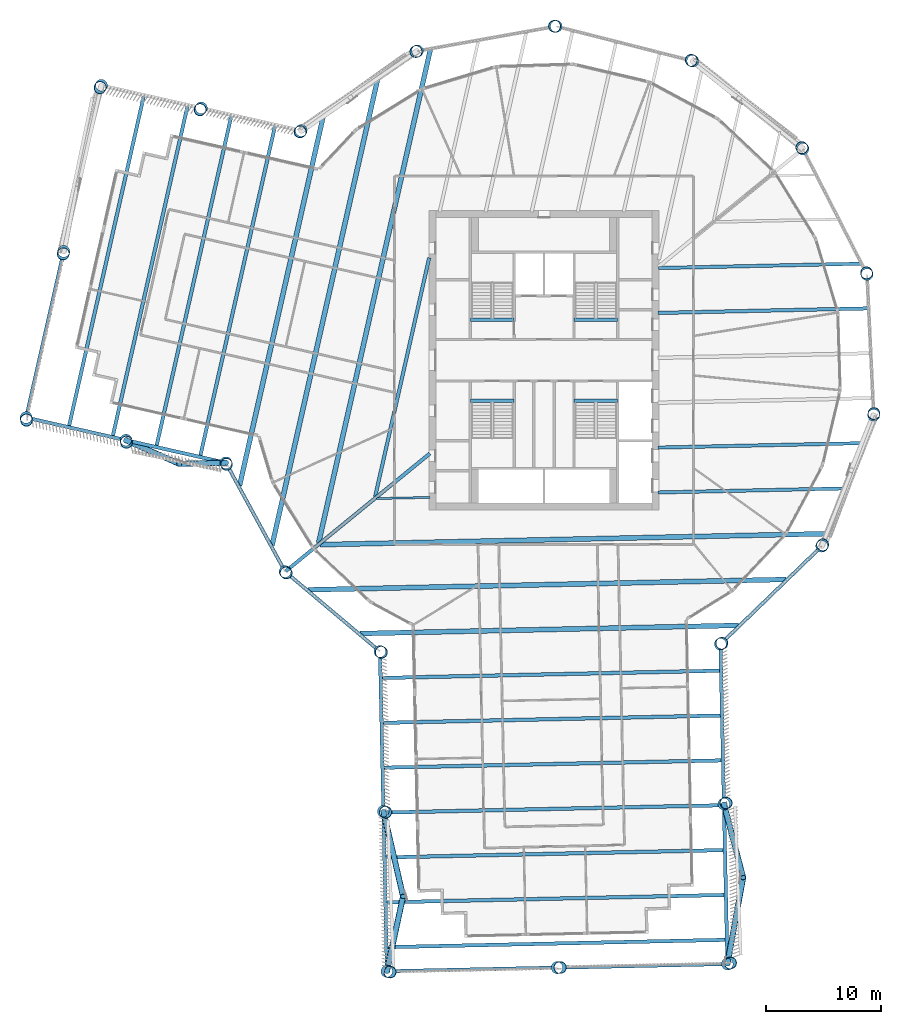
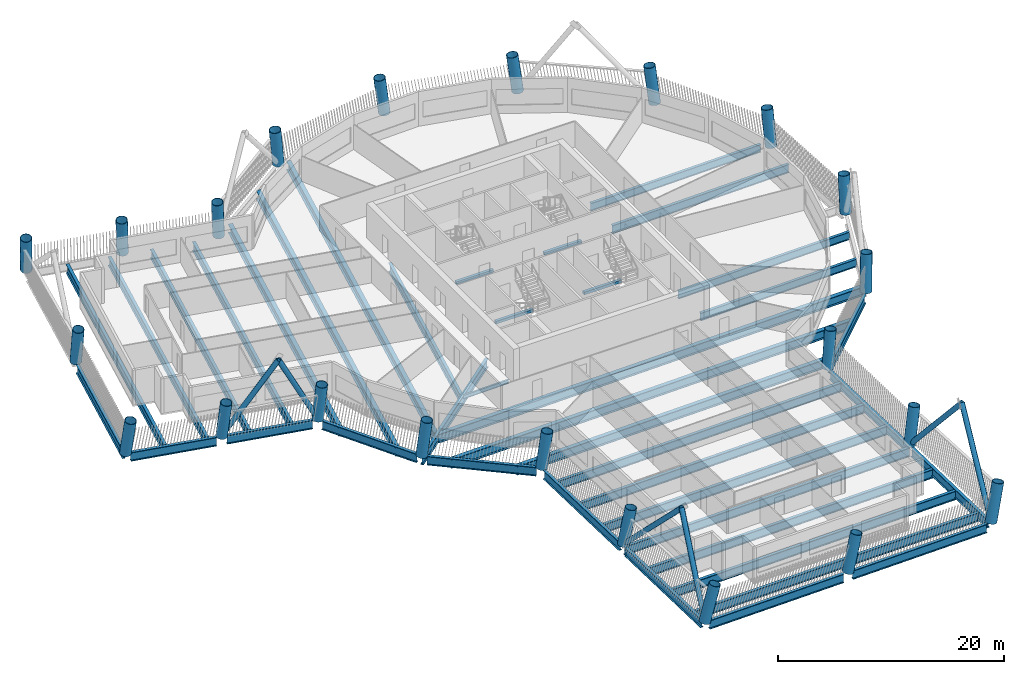
# One storey, part 1 of 23: 40 beams, 22 columns, 6 members.
"""IFC4 building model written with IfcOpenShell, lengths in metres."""

import ifcopenshell
import ifcopenshell.guid

model = None  # the IFC model being written
_history = None  # IfcOwnerHistory: only IFC2X3 demands one
_inside = {}  # id of a spatial element -> (the spatial element, [elements in it])
_under = {}  # id of a project, library or spatial element -> (it, [spatial elements below it])
_declared = {}  # id of a project -> (the project, [libraries it declares])
_typed = {}  # id of a type object -> (the type object, [elements of that type])
_made_of = {}  # id of a material, layer set ... -> (it, [elements and type objects made of it])


def new_model(schema):
    """Start an empty IFC model of exactly this schema.

    Asked for "IFC4X3", IfcOpenShell would pick the latest addendum, in which some entities
    have other attributes; the version numbers below select the first issue.
    IFC2X3 requires an IfcOwnerHistory on every rooted entity: one is made here for all.
    """
    global model, _history
    if schema == "IFC4X3":
        model = ifcopenshell.file(schema_version=(4, 3, 0, 0))
    else:
        model = ifcopenshell.file(schema=schema)
    _inside.clear()
    _under.clear()
    _declared.clear()
    _typed.clear()
    _made_of.clear()
    _history = None
    if model.schema == "IFC2X3":
        org = make("IfcOrganization", Name="unknown")
        user = make(
            "IfcPersonAndOrganization",
            ThePerson=make("IfcPerson", FamilyName="unknown"),
            TheOrganization=org,
        )
        app = make(
            "IfcApplication",
            ApplicationDeveloper=org,
            Version="unknown",
            ApplicationFullName="unknown",
            ApplicationIdentifier="unknown",
        )
        _history = make(
            "IfcOwnerHistory",
            OwningUser=user,
            OwningApplication=app,
            ChangeAction="ADDED",
            CreationDate=0,
        )
    return model


def make(cls, **values):
    """One entity of the class cls with the attributes given. An attribute that is None is left unset."""
    return model.create_entity(
        cls, **{name: value for name, value in values.items() if value is not None}
    )


def rooted(cls, **values):
    """An entity with a GlobalId (a new one), such as an element, a storey or a relation."""
    return make(cls, GlobalId=ifcopenshell.guid.new(), OwnerHistory=_history, **values)


def si_unit(unit_type, name, prefix=None):
    """IfcSIUnit, for example si_unit("LENGTHUNIT", "METRE", prefix="MILLI")."""
    return make("IfcSIUnit", UnitType=unit_type, Prefix=prefix, Name=name)


def assignment(units):
    """IfcUnitAssignment: the units of a project."""
    return None if units is None else make("IfcUnitAssignment", Units=units)


def point(xyz):
    """IfcCartesianPoint."""
    return None if xyz is None else make("IfcCartesianPoint", Coordinates=xyz)


def direction(xyz):
    """IfcDirection."""
    return None if xyz is None else make("IfcDirection", DirectionRatios=xyz)


def frame(location, z_axis=None, x_axis=None):
    """IfcAxis2Placement3D, a coordinate frame: its origin and axes. An axis left out is left unset."""
    return make(
        "IfcAxis2Placement3D",
        Location=point(location),
        Axis=direction(z_axis),
        RefDirection=direction(x_axis),
    )


def frame_2d(location, x_axis=None):
    """IfcAxis2Placement2D, a coordinate frame in the plane: its origin and x axis."""
    return make(
        "IfcAxis2Placement2D", Location=point(location), RefDirection=direction(x_axis)
    )


def origin():
    """The frame at (0, 0, 0) with its axes left unset."""
    return frame((0.0, 0.0, 0.0))


def origin_2d():
    """The frame at (0, 0) in the plane with its x axis left unset."""
    return frame_2d((0.0, 0.0))


def place(relative_to, where):
    """IfcLocalPlacement: puts the frame where relative to a parent placement (None: the world)."""
    return make(
        "IfcLocalPlacement", PlacementRelTo=relative_to, RelativePlacement=where
    )


def context(
    kind, dimensions, precision=None, world=None, true_north=None, identifier=None
):
    """IfcGeometricRepresentationContext, for example the 3D "Model" context."""
    return make(
        "IfcGeometricRepresentationContext",
        ContextIdentifier=identifier,
        ContextType=kind,
        CoordinateSpaceDimension=dimensions,
        Precision=precision,
        WorldCoordinateSystem=world,
        TrueNorth=true_north,
    )


def subcontext(parent, identifier, kind, view, scale=None):
    """IfcGeometricRepresentationSubContext, for example "Body" below "Model"."""
    return make(
        "IfcGeometricRepresentationSubContext",
        ContextIdentifier=identifier,
        ContextType=kind,
        ParentContext=parent,
        TargetScale=scale,
        TargetView=view,
    )


def project(units=None, contexts=None):
    """IfcProject with its units and contexts."""
    return rooted(
        "IfcProject",
        Name="project",
        RepresentationContexts=contexts,
        UnitsInContext=assignment(units),
    )


def spatial(cls, under=None, at=None, **own):
    """A site, building, storey or space (cls), placed at a placement, below another one or the project."""
    s = rooted(cls, ObjectPlacement=at, **own)
    if under is not None:
        _under.setdefault(under.id(), (under, []))[1].append(s)
    return s


def profile(cls, at=None, kind="AREA", **sizes):
    """A parametric profile (cls). Its sizes go by their IFC names, for example OverallWidth=200.0."""
    return make(cls, ProfileType=kind, Position=at, **sizes)


def rectangle(**sizes):
    """IfcRectangleProfileDef."""
    return profile("IfcRectangleProfileDef", **sizes)


def hollow_circle(**sizes):
    """IfcCircleHollowProfileDef."""
    return profile("IfcCircleHollowProfileDef", **sizes)


def i_section(**sizes):
    """IfcIShapeProfileDef."""
    return profile("IfcIShapeProfileDef", **sizes)


def extrude(swept, where, along, depth):
    """IfcExtrudedAreaSolid: the profile swept, set in the frame where, extruded along a direction by depth."""
    return make(
        "IfcExtrudedAreaSolid",
        SweptArea=swept,
        Position=where,
        ExtrudedDirection=direction(along),
        Depth=depth,
    )


def shape(context_of_items, identifier, shape_type, items):
    """IfcShapeRepresentation: the items that make up one representation, for example the "Body"."""
    return make(
        "IfcShapeRepresentation",
        ContextOfItems=context_of_items,
        RepresentationIdentifier=identifier,
        RepresentationType=shape_type,
        Items=items,
    )


def material(Name=None, Category=None):
    """IfcMaterial."""
    return make("IfcMaterial", Name=Name, Category=Category)


def material_profile(
    of_material, cross_section, Name=None, Category=None, Priority=None
):
    """IfcMaterialProfile: a cross section and its material."""
    return make(
        "IfcMaterialProfile",
        Name=Name,
        Material=of_material,
        Profile=cross_section,
        Priority=Priority,
        Category=Category,
    )


def profile_set(profiles, Name=None, composite=None):
    """IfcMaterialProfileSet."""
    return make(
        "IfcMaterialProfileSet",
        Name=Name,
        MaterialProfiles=profiles,
        CompositeProfile=composite,
    )


def made_of(thing, what):
    """Note that an element or type object is made of a material, layer set ...; save() writes the relation."""
    if what is not None:
        _made_of.setdefault(what.id(), (what, []))[1].append(thing)
    return thing


def type_object(cls, material=None, **own):
    """A type object (cls), such as IfcWallType, which elements share."""
    return made_of(rooted(cls, **own), material)


def element(
    cls,
    number,
    at=None,
    inside=None,
    cuts=None,
    type_object=None,
    material=None,
    context=None,
    identifier="Body",
    shape_type=None,
    held_by="IfcProductDefinitionShape",
    body=None,
    shapes=None,
    **own,
):
    """One element of the class cls, such as IfcWall. Its Tag is "e" and its number.

    at: its placement. inside: the storey or other place that contains it. cuts: it is an
    opening in that element (IfcRelVoidsElement). A single representation is given by context,
    identifier, shape_type and body (its items); several are given by shapes. held_by: the class
    of the entity that holds the representations. save() writes the other relations.
    """
    e = rooted(cls, Tag="e%d" % number, ObjectPlacement=at, **own)
    if body is not None:
        shapes = [shape(context, identifier, shape_type, body)]
    if shapes is not None:
        e.Representation = make(held_by, Representations=shapes)
    if inside is not None:
        _inside.setdefault(inside.id(), (inside, []))[1].append(e)
    if cuts is not None:
        rooted(
            "IfcRelVoidsElement", RelatingBuildingElement=cuts, RelatedOpeningElement=e
        )
    if type_object is not None:
        _typed.setdefault(type_object.id(), (type_object, []))[1].append(e)
    return made_of(e, material)


def aggregate(whole, parts):
    """IfcRelAggregates: a whole, such as a stair, and the parts it consists of."""
    return rooted("IfcRelAggregates", RelatingObject=whole, RelatedObjects=parts)


def save(model, path):
    """Write the relations noted so far, then the file.

    IfcRelAggregates (storeys below a building ...), IfcRelContainedInSpatialStructure (elements
    in a storey), IfcRelDefinesByType, IfcRelAssociatesMaterial and IfcRelDeclares: one each for
    every whole, place, type object, material and project.
    """
    for whole, parts in _under.values():
        aggregate(whole, parts)
    for where, things in _inside.values():
        rooted(
            "IfcRelContainedInSpatialStructure",
            RelatedElements=things,
            RelatingStructure=where,
        )
    for kind, things in _typed.values():
        rooted("IfcRelDefinesByType", RelatedObjects=things, RelatingType=kind)
    for what, things in _made_of.values():
        rooted("IfcRelAssociatesMaterial", RelatedObjects=things, RelatingMaterial=what)
    for by, libraries in _declared.values():
        rooted("IfcRelDeclares", RelatingContext=by, RelatedDefinitions=libraries)
    model.write(path)


model = new_model("IFC4")

# Units and contexts
model_context = context("Model", 3, precision=1e-05, world=origin(), true_north=direction((0.0, 1.0)))
body_context = subcontext(model_context, "Body", "Model", "MODEL_VIEW")
ifc_project = project(units=[si_unit("LENGTHUNIT", "METRE"), si_unit("AREAUNIT", "SQUARE_METRE"), si_unit("VOLUMEUNIT", "CUBIC_METRE"), si_unit("PLANEANGLEUNIT", "RADIAN"), si_unit("MASSUNIT", "GRAM", prefix="KILO")], contexts=[model_context])

# Site, building, storey
site_placement = place(None, origin())
site = spatial("IfcSite", under=ifc_project, at=site_placement, CompositionType="ELEMENT")
building_placement = place(site_placement, origin())
building = spatial("IfcBuilding", under=site, at=building_placement, Name="Tarsis Ring Headquarters", CompositionType="ELEMENT")
storey_placement = place(building_placement, frame((0.0, 0.0, 231.60009765625)))
storey = spatial("IfcBuildingStorey", under=building, at=storey_placement, Name="L54", CompositionType="ELEMENT", Elevation=231.60009765625)

# Columns
ifc_material_1 = material(Name="Structural steel S355", Category="steel")
ifc_material_profile_1 = material_profile(ifc_material_1, hollow_circle(Radius=0.533447265625, WallThickness=0.044921875, at=origin_2d()), Name="CHS 1067x45")
ifc_profile_set_1 = profile_set([ifc_material_profile_1], Name="Structural steel S355")
column_type = type_object("IfcColumnType", Name="XC Exo column CHS 1067x45", PredefinedType="COLUMN", material=ifc_profile_set_1)
for number, where, z_axis, x_axis, name in (
    (1, (-22.498046875, -18.375244140625, 0.0009765625), (0.079118125295, -0.09527736534, 0.992301640583), (0.769330767508, 0.63885066343, 0.0), "Exo column XC5 F1"),
    (2, (-14.255615234375, -25.31005859375, 0.0009765625), (0.108452989063, -0.059851133792, 0.992298236896), (0.483170186207, 0.875526453718, 0.0), "Exo column XC5 AK"),
):
    element("IfcColumn", number, at=place(storey_placement, frame(where, z_axis=z_axis, x_axis=x_axis)), inside=storey, type_object=column_type, Name=name, PredefinedType="COLUMN", context=body_context, shape_type="SweptSolid", body=[
        extrude(hollow_circle(Radius=0.533447265625, WallThickness=0.044921875, at=origin_2d()), origin(), (0.0, 0.0, 1.0), 3.92822265625),
    ])
column_1_placement = place(storey_placement, frame((-13.95458984375, -39.208984375, 0.001220703125), z_axis=(0.166315083918, -0.057658362426, 0.984385496695), x_axis=(0.327555725143, 0.944831861723, 0.0)))
element("IfcColumn", 3, at=column_1_placement, inside=storey, type_object=column_type, Name="Exo column XC5 AI1", PredefinedType="COLUMN", context=body_context, shape_type="SweptSolid", body=[
    extrude(hollow_circle(Radius=0.533447265625, WallThickness=0.044921875, at=origin_2d()), origin(), (0.0, 0.0, 1.0), 3.958984375),
])
column_2_placement = place(storey_placement, frame((-13.653564453125, -53.10791015625, 0.001708984375), z_axis=(0.222542352526, -0.055254418029, 0.973355973229), x_axis=(0.240970767589, 0.970532374096, 0.0)))
element("IfcColumn", 4, at=column_2_placement, inside=storey, type_object=column_type, Name="Exo column XC5 AT1", PredefinedType="COLUMN", context=body_context, shape_type="SweptSolid", body=[
    extrude(hollow_circle(Radius=0.533447265625, WallThickness=0.044921875, at=origin_2d()), origin(), (0.0, 0.0, 1.0), 4.003173828125),
])
column_3_placement = place(storey_placement, frame((1.14306640625, -52.78759765625, 0.00146484375), z_axis=(0.221122315318, 0.006659942628, 0.975223342026), x_axis=(-0.030105165601, 0.999546736778, 0.0)))
element("IfcColumn", 5, at=column_3_placement, inside=storey, type_object=column_type, Name="Exo column XC5 AT2", PredefinedType="COLUMN", context=body_context, shape_type="SweptSolid", body=[
    extrude(hollow_circle(Radius=0.533447265625, WallThickness=0.044921875, at=origin_2d()), origin(), (0.0, 0.0, 1.0), 3.995849609375),
])
column_4_placement = place(storey_placement, frame((15.939453125, -52.46728515625, 0.001708984375), z_axis=(0.218880671925, 0.06848787812, 0.97334508886), x_axis=(-0.298623218624, 0.954371087837, 0.0)))
element("IfcColumn", 6, at=column_4_placement, inside=storey, type_object=column_type, Name="Exo column XC5 AT3", PredefinedType="COLUMN", context=body_context, shape_type="SweptSolid", body=[
    extrude(hollow_circle(Radius=0.533447265625, WallThickness=0.044921875, at=origin_2d()), origin(), (0.0, 0.0, 1.0), 4.003173828125),
])
column_5_placement = place(storey_placement, frame((15.638427734375, -38.568359375, 0.001220703125), z_axis=(0.162553573911, 0.067525099936, 0.984386456879), x_axis=(-0.383620118291, 0.923490987959, 0.0)))
element("IfcColumn", 7, at=column_5_placement, inside=storey, type_object=column_type, Name="Exo column XC5 AO1", PredefinedType="COLUMN", context=body_context, shape_type="SweptSolid", body=[
    extrude(hollow_circle(Radius=0.533447265625, WallThickness=0.044921875, at=origin_2d()), origin(), (0.0, 0.0, 1.0), 3.958984375),
])
for number, where, z_axis, x_axis, name in (
    (8, (15.337646484375, -24.66943359375, 0.0009765625), (0.104599931099, 0.066314988998, 0.992300950644), (-0.535446000456, 0.844569464636, 0.0), "Exo column XC5 AJ"),
    (9, (24.142578125, -16.154052734375, 0.0009765625), (0.067993314499, 0.103481598393, 0.992304624587), (-0.835738387934, 0.549127805646, 0.0), "Exo column XC5 R1"),
    (10, (28.65478515625, -4.766845703125, 0.0009765625), (0.019266695301, 0.122374590473, 0.992296958606), (-0.987832020408, 0.155524594376, 0.0), "Exo column XC5 R2"),
    (11, (28.072021484375, 7.46826171875, 0.0009765625), (-0.032815788439, 0.119392290891, 0.992304693582), (-0.964240675151, -0.265028150172, 0.0), "Exo column XC5 R3"),
    (12, (22.498046875, 18.375244140625, 0.0009765625), (-0.079118125295, 0.09527736534, 0.992301640583), (-0.769330767508, -0.63885066343, 0.0), "Exo column XC5 R4"),
    (13, (12.923828125, 26.01513671875, 0.0009765625), (-0.111374232903, 0.054195497261, 0.992299666594), (-0.43755344702, -0.899192404884, 0.0), "Exo column XC5 R5"),
    (14, (1.0517578125, 29.029541015625, 0.0009765625), (-0.123804526489, 0.003418297669, 0.992300737913), (-0.027599923557, -0.999619049548, 0.0), "Exo column XC5 R6"),
    (15, (-11.007568359375, 26.882080078125, 0.0009765625), (-0.114171940389, -0.04785650196, 0.992307675697), (0.386575168753, -0.922257902597, 0.0), "Exo column XC5 R7"),
    (16, (-21.109375, 19.955078125, 0.0009765625), (-0.084338882338, -0.090678282484, 0.992302575836), (0.732239120997, -0.681047626589, 0.0), "Exo column XC5 BJ"),
):
    element("IfcColumn", number, at=place(storey_placement, frame(where, z_axis=z_axis, x_axis=x_axis)), inside=storey, type_object=column_type, Name=name, PredefinedType="COLUMN", context=body_context, shape_type="SweptSolid", body=[
        extrude(hollow_circle(Radius=0.533447265625, WallThickness=0.044921875, at=origin_2d()), origin(), (0.0, 0.0, 1.0), 3.92822265625),
    ])
column_6_placement = place(storey_placement, frame((-29.7919921875, 21.921142578125, 0.001220703125), z_axis=(-0.091931701036, -0.127133005134, 0.987616201442), x_axis=(0.810335955255, -0.585965561805, 0.0)))
element("IfcColumn", 17, at=column_6_placement, inside=storey, type_object=column_type, Name="Exo column XC5 BO1", PredefinedType="COLUMN", context=body_context, shape_type="SweptSolid", body=[
    extrude(hollow_circle(Radius=0.533447265625, WallThickness=0.044921875, at=origin_2d()), origin(), (0.0, 0.0, 1.0), 3.9462890625),
])
column_7_placement = place(storey_placement, frame((-38.474365234375, 23.887451171875, 0.00146484375), z_axis=(-0.099377024841, -0.163086553142, 0.981594103038), x_axis=(0.853949738971, -0.52035549705, 0.0)))
element("IfcColumn", 18, at=column_7_placement, inside=storey, type_object=column_type, Name="Exo column XC5 BT3", PredefinedType="COLUMN", context=body_context, shape_type="SweptSolid", body=[
    extrude(hollow_circle(Radius=0.533447265625, WallThickness=0.044921875, at=origin_2d()), origin(), (0.0, 0.0, 1.0), 3.969970703125),
])
column_8_placement = place(storey_placement, frame((-41.7431640625, 9.452880859375, 0.001220703125), z_axis=(-0.038445913619, -0.17670333375, 0.983513011387), x_axis=(0.977139449817, -0.212599378203, 0.0)))
element("IfcColumn", 19, at=column_8_placement, inside=storey, type_object=column_type, Name="Exo column XC5 BT2", PredefinedType="COLUMN", context=body_context, shape_type="SweptSolid", body=[
    extrude(hollow_circle(Radius=0.533447265625, WallThickness=0.044921875, at=origin_2d()), origin(), (0.0, 0.0, 1.0), 3.962646484375),
])
column_9_placement = place(storey_placement, frame((-45.01171875, -4.981689453125, 0.00146484375), z_axis=(0.022568865344, -0.189652263548, 0.981591903618), x_axis=(0.992993672528, 0.11816753496, 0.0)))
element("IfcColumn", 20, at=column_9_placement, inside=storey, type_object=column_type, Name="Exo column XC5 BT1", PredefinedType="COLUMN", context=body_context, shape_type="SweptSolid", body=[
    extrude(hollow_circle(Radius=0.533447265625, WallThickness=0.044921875, at=origin_2d()), origin(), (0.0, 0.0, 1.0), 3.969970703125),
])
column_10_placement = place(storey_placement, frame((-36.329345703125, -6.94775390625, 0.001220703125), z_axis=(0.03074666, -0.153918893522, 0.987604990427), x_axis=(0.980626127287, 0.195888740057, 0.0)))
element("IfcColumn", 21, at=column_10_placement, inside=storey, type_object=column_type, Name="Exo column XC5 BI1", PredefinedType="COLUMN", context=body_context, shape_type="SweptSolid", body=[
    extrude(hollow_circle(Radius=0.533447265625, WallThickness=0.044921875, at=origin_2d()), origin(), (0.0, 0.0, 1.0), 3.9462890625),
])
column_11_placement = place(storey_placement, frame((-27.64697265625, -8.913818359375, 0.0009765625), z_axis=(0.038968465181, -0.117589052827, 0.992297472221), x_axis=(0.949233733417, 0.314571644214, 0.0)))
element("IfcColumn", 22, at=column_11_placement, inside=storey, type_object=column_type, Name="Exo column XC5 BK", PredefinedType="COLUMN", context=body_context, shape_type="SweptSolid", body=[
    extrude(hollow_circle(Radius=0.533447265625, WallThickness=0.044921875, at=origin_2d()), origin(), (0.0, 0.0, 1.0), 3.92822265625),
])

# Beams
ifc_material_profile_2 = material_profile(ifc_material_1, i_section(OverallWidth=0.177734375, OverallDepth=0.406494140625, WebThickness=0.0078125, FlangeThickness=0.0126953125, at=origin_2d()), Name="W16x40")
ifc_profile_set_2 = profile_set([ifc_material_profile_2], Name="Structural steel S355")
beam_type_1 = type_object("IfcBeamType", Name="FB Floor beam W16x40", PredefinedType="JOIST", material=ifc_profile_set_2)
beam_1_placement = place(storey_placement, frame((-14.56689453125, -12.01806640625, -0.36328125), z_axis=(0.999765564217, 0.021652173236, 0.0), x_axis=(-0.021652173236, 0.999765564217, 0.0)))
element("IfcBeam", 23, at=beam_1_placement, inside=storey, type_object=beam_type_1, Name="Floor beam FB1", PredefinedType="JOIST", context=body_context, shape_type="SweptSolid", body=[
    extrude(i_section(OverallWidth=0.177734375, OverallDepth=0.406494140625, WebThickness=0.0078125, FlangeThickness=0.0126953125, at=origin_2d()), origin(), (0.0, 0.0, 1.0), 4.66796875),
])
ifc_material_profile_3 = material_profile(ifc_material_1, i_section(OverallWidth=0.2919921875, OverallDepth=0.835693359375, WebThickness=0.013916015625, FlangeThickness=0.018798828125, at=origin_2d()), Name="W33x118")
ifc_profile_set_3 = profile_set([ifc_material_profile_3], Name="Structural steel S355")
beam_type_2 = type_object("IfcBeamType", Name="FB Floor beam W33x118", PredefinedType="JOIST", material=ifc_profile_set_3)
beam_2_placement = place(storey_placement, frame((9.964111328125, 8.017578125, -0.577880859375), z_axis=(0.999765780629, 0.021642178356, 0.0), x_axis=(-0.021642178356, 0.999765780629, 0.0)))
element("IfcBeam", 24, at=beam_2_placement, inside=storey, type_object=beam_type_2, Name="Floor beam FB7", PredefinedType="JOIST", context=body_context, shape_type="SweptSolid", body=[
    extrude(i_section(OverallWidth=0.2919921875, OverallDepth=0.835693359375, WebThickness=0.013916015625, FlangeThickness=0.018798828125, at=origin_2d()), origin(), (0.0, 0.0, 1.0), 17.564208984375),
])
beam_3_placement = place(storey_placement, frame((9.89990234375, -7.587646484375, -0.577880859375), z_axis=(0.999765581061, 0.021651395457, 0.0), x_axis=(-0.021651395457, 0.999765581061, 0.0)))
element("IfcBeam", 25, at=beam_3_placement, inside=storey, type_object=beam_type_2, Name="Floor beam FB7", PredefinedType="JOIST", context=body_context, shape_type="SweptSolid", body=[
    extrude(i_section(OverallWidth=0.2919921875, OverallDepth=0.835693359375, WebThickness=0.013916015625, FlangeThickness=0.018798828125, at=origin_2d()), origin(), (0.0, 0.0, 1.0), 17.725830078125),
])
beam_4_placement = place(storey_placement, frame((9.89990234375, -11.488525390625, -0.577880859375), z_axis=(0.999765803339, 0.02164112923, 0.0), x_axis=(-0.02164112923, 0.999765803339, 0.0)))
element("IfcBeam", 26, at=beam_4_placement, inside=storey, type_object=beam_type_2, Name="Floor beam FB7", PredefinedType="JOIST", context=body_context, shape_type="SweptSolid", body=[
    extrude(i_section(OverallWidth=0.2919921875, OverallDepth=0.835693359375, WebThickness=0.013916015625, FlangeThickness=0.018798828125, at=origin_2d()), origin(), (0.0, 0.0, 1.0), 16.166259765625),
])
ifc_material_profile_4 = material_profile(ifc_material_1, i_section(OverallWidth=0.3046875, OverallDepth=0.904296875, WebThickness=0.01513671875, FlangeThickness=0.02001953125, at=origin_2d()), Name="W36x135")
ifc_profile_set_4 = profile_set([ifc_material_profile_4], Name="Structural steel S355")
beam_type_3 = type_object("IfcBeamType", Name="FB Floor beam W36x135", PredefinedType="JOIST", material=ifc_profile_set_4)
beam_5_placement = place(storey_placement, frame((9.89990234375, 4.115234375, -0.6123046875), z_axis=(0.99976574866, 0.021643655106, 0.0), x_axis=(-0.021643655106, 0.99976574866, 0.0)))
element("IfcBeam", 27, at=beam_5_placement, inside=storey, type_object=beam_type_3, Name="Floor beam FB8", PredefinedType="JOIST", context=body_context, shape_type="SweptSolid", body=[
    extrude(i_section(OverallWidth=0.3046875, OverallDepth=0.904296875, WebThickness=0.01513671875, FlangeThickness=0.02001953125, at=origin_2d()), origin(), (0.0, 0.0, 1.0), 18.262451171875),
])
ifc_material_profile_5 = material_profile(ifc_material_1, i_section(OverallWidth=0.3046875, OverallDepth=0.91943359375, WebThickness=0.017333984375, FlangeThickness=0.02783203125, at=origin_2d()), Name="W36x170")
ifc_profile_set_5 = profile_set([ifc_material_profile_5], Name="Structural steel S355")
beam_type_4 = type_object("IfcBeamType", Name="FB Floor beam W36x170", PredefinedType="JOIST", material=ifc_profile_set_5)
beam_6_placement = place(storey_placement, frame((-9.97802734375, 8.91259765625, -0.619873046875), z_axis=(-0.220861015762, -0.975305291545, 0.0), x_axis=(0.975305291545, -0.220861015762, 0.0)))
element("IfcBeam", 28, at=beam_6_placement, inside=storey, type_object=beam_type_4, Name="Floor beam FB9", PredefinedType="JOIST", context=body_context, shape_type="SweptSolid", body=[
    extrude(i_section(OverallWidth=0.3046875, OverallDepth=0.91943359375, WebThickness=0.017333984375, FlangeThickness=0.02783203125, at=origin_2d()), origin(), (0.0, 0.0, 1.0), 21.312255859375),
])
ifc_material_profile_6 = material_profile(ifc_material_1, i_section(OverallWidth=0.309814453125, OverallDepth=0.949951171875, WebThickness=0.0244140625, FlangeThickness=0.0439453125, at=origin_2d()), Name="W36x256")
ifc_profile_set_6 = profile_set([ifc_material_profile_6], Name="Structural steel S355")
beam_type_5 = type_object("IfcBeamType", Name="FB Floor beam W36x256", PredefinedType="JOIST", material=ifc_profile_set_6)
for number, where, z_axis, x_axis, name in (
    (29, (-14.15087890625, -27.61279296875, -0.635009765625), (0.999765814067, 0.021640633621, 0.0), (-0.021640633621, 0.999765814067, 0.0), "Floor beam FB11"),
    (30, (-14.06640625, -31.51171875, -0.635009765625), (0.999765814067, 0.021640633621, 0.0), (-0.021640633621, 0.999765814067, 0.0), "Floor beam FB11"),
    (31, (-13.98193359375, -35.410888671875, -0.635009765625), (0.999765814067, 0.021640633621, 0.0), (-0.021640633621, 0.999765814067, 0.0), "Floor beam FB11"),
):
    element("IfcBeam", number, at=place(storey_placement, frame(where, z_axis=z_axis, x_axis=x_axis)), inside=storey, type_object=beam_type_5, Name=name, PredefinedType="JOIST", context=body_context, shape_type="SweptSolid", body=[
        extrude(i_section(OverallWidth=0.309814453125, OverallDepth=0.949951171875, WebThickness=0.0244140625, FlangeThickness=0.0439453125, at=origin_2d()), origin(), (0.0, 0.0, 1.0), 29.489990234375),
    ])
beam_7_placement = place(storey_placement, frame((-13.897705078125, -39.31005859375, -0.635009765625), z_axis=(0.999765817944, 0.021640454507, 0.0), x_axis=(-0.021640454507, 0.999765817944, 0.0)))
element("IfcBeam", 32, at=beam_7_placement, inside=storey, type_object=beam_type_5, Name="Floor beam FB11", PredefinedType="JOIST", context=body_context, shape_type="SweptSolid", body=[
    extrude(i_section(OverallWidth=0.309814453125, OverallDepth=0.949951171875, WebThickness=0.0244140625, FlangeThickness=0.0439453125, at=origin_2d()), origin(), (0.0, 0.0, 1.0), 29.490234375),
])
for number, where, z_axis, x_axis, name in (
    (33, (-13.813232421875, -43.208984375, -0.635009765625), (0.999765814067, 0.021640633621, 0.0), (-0.021640633621, 0.999765814067, 0.0), "Floor beam FB11"),
    (34, (-13.728759765625, -47.108154296875, -0.635009765625), (0.999765814067, 0.021640633621, 0.0), (-0.021640633621, 0.999765814067, 0.0), "Floor beam FB11"),
):
    element("IfcBeam", number, at=place(storey_placement, frame(where, z_axis=z_axis, x_axis=x_axis)), inside=storey, type_object=beam_type_5, Name=name, PredefinedType="JOIST", context=body_context, shape_type="SweptSolid", body=[
        extrude(i_section(OverallWidth=0.309814453125, OverallDepth=0.949951171875, WebThickness=0.0244140625, FlangeThickness=0.0439453125, at=origin_2d()), origin(), (0.0, 0.0, 1.0), 29.489990234375),
    ])
for number, where, z_axis, x_axis, name in (
    (35, (-13.64453125, -51.00732421875, -0.635009765625), (0.999765817944, 0.021640454507, 0.0), (-0.021640454507, 0.999765817944, 0.0), "Floor beam FB11"),
    (36, (-23.369140625, 20.41064453125, -0.635009765625), (-0.220867107513, -0.975303912029, 0.0), (0.975303912029, -0.220867107513, 0.0), "Floor beam FB11"),
):
    element("IfcBeam", number, at=place(storey_placement, frame(where, z_axis=z_axis, x_axis=x_axis)), inside=storey, type_object=beam_type_5, Name=name, PredefinedType="JOIST", context=body_context, shape_type="SweptSolid", body=[
        extrude(i_section(OverallWidth=0.309814453125, OverallDepth=0.949951171875, WebThickness=0.0244140625, FlangeThickness=0.0439453125, at=origin_2d()), origin(), (0.0, 0.0, 1.0), 29.490234375),
    ])
for number, where, z_axis, x_axis, name in (
    (37, (-27.1728515625, 21.27197265625, -0.635009765625), (-0.22086889086, -0.975303508171, 0.0), (0.975303508171, -0.22086889086, 0.0), "Floor beam FB11"),
    (38, (-30.9765625, 22.13330078125, -0.635009765625), (-0.220861015947, -0.975305291503, 0.0), (0.975305291503, -0.220861015947, 0.0), "Floor beam FB11"),
    (39, (-34.780029296875, 22.99462890625, -0.635009765625), (-0.22086889086, -0.975303508171, 0.0), (0.975303508171, -0.22086889086, 0.0), "Floor beam FB11"),
):
    element("IfcBeam", number, at=place(storey_placement, frame(where, z_axis=z_axis, x_axis=x_axis)), inside=storey, type_object=beam_type_5, Name=name, PredefinedType="JOIST", context=body_context, shape_type="SweptSolid", body=[
        extrude(i_section(OverallWidth=0.309814453125, OverallDepth=0.949951171875, WebThickness=0.0244140625, FlangeThickness=0.0439453125, at=origin_2d()), origin(), (0.0, 0.0, 1.0), 29.489990234375),
    ])
beam_type_6 = type_object("IfcBeamType", Name="FB Floor beam W36x256 spine", PredefinedType="BEAM", material=ifc_profile_set_6)
beam_8_placement = place(storey_placement, frame((-9.922607421875, -8.104248046875, -0.635009765625), z_axis=(-0.774504280549, -0.632568667744, 0.0), x_axis=(0.632568667744, -0.774504280549, 0.0)))
element("IfcBeam", 40, at=beam_8_placement, inside=storey, type_object=beam_type_6, Name="Floor beam SB11", PredefinedType="BEAM", context=body_context, shape_type="SweptSolid", body=[
    extrude(i_section(OverallWidth=0.309814453125, OverallDepth=0.949951171875, WebThickness=0.0244140625, FlangeThickness=0.0439453125, at=origin_2d()), origin(), (0.0, 0.0, 1.0), 16.178955078125),
])
ifc_material_profile_7 = material_profile(ifc_material_1, i_section(OverallWidth=0.42431640625, OverallDepth=0.947509765625, WebThickness=0.02392578125, FlangeThickness=0.042724609375, at=origin_2d()), Name="W36x302")
ifc_profile_set_7 = profile_set([ifc_material_profile_7], Name="Structural steel S355")
beam_type_7 = type_object("IfcBeamType", Name="FB Floor beam W36x302", PredefinedType="JOIST", material=ifc_profile_set_7)
beam_9_placement = place(storey_placement, frame((-19.47314453125, -16.025146484375, -0.6337890625), z_axis=(0.999765811124, 0.021640769555, 0.0), x_axis=(-0.021640769555, 0.999765811124, 0.0)))
element("IfcBeam", 41, at=beam_9_placement, inside=storey, type_object=beam_type_7, Name="Floor beam FB12", PredefinedType="JOIST", context=body_context, shape_type="SweptSolid", body=[
    extrude(i_section(OverallWidth=0.42431640625, OverallDepth=0.947509765625, WebThickness=0.02392578125, FlangeThickness=0.042724609375, at=origin_2d()), origin(), (0.0, 0.0, 1.0), 43.986572265625),
])
beam_10_placement = place(storey_placement, frame((-20.490478515625, -19.947998046875, -0.6337890625), z_axis=(0.999765897627, 0.021636772915, 0.0), x_axis=(-0.021636772915, 0.999765897627, 0.0)))
element("IfcBeam", 42, at=beam_10_placement, inside=storey, type_object=beam_type_7, Name="Floor beam FB12", PredefinedType="JOIST", context=body_context, shape_type="SweptSolid", body=[
    extrude(i_section(OverallWidth=0.42431640625, OverallDepth=0.947509765625, WebThickness=0.02392578125, FlangeThickness=0.042724609375, at=origin_2d()), origin(), (0.0, 0.0, 1.0), 41.523681640625),
])
beam_11_placement = place(storey_placement, frame((-15.97021484375, -23.751220703125, -0.6337890625), z_axis=(0.999765826017, 0.021640081537, 0.0), x_axis=(-0.021640081537, 0.999765826017, 0.0)))
element("IfcBeam", 43, at=beam_11_placement, inside=storey, type_object=beam_type_7, Name="Floor beam FB12", PredefinedType="JOIST", context=body_context, shape_type="SweptSolid", body=[
    extrude(i_section(OverallWidth=0.42431640625, OverallDepth=0.947509765625, WebThickness=0.02392578125, FlangeThickness=0.042724609375, at=origin_2d()), origin(), (0.0, 0.0, 1.0), 32.87548828125),
])
beam_12_placement = place(storey_placement, frame((-9.8759765625, 27.019775390625, -0.6337890625), z_axis=(-0.220869682831, -0.975303328819, 0.0), x_axis=(0.975303328819, -0.220869682831, 0.0)))
element("IfcBeam", 44, at=beam_12_placement, inside=storey, type_object=beam_type_7, Name="Floor beam FB12", PredefinedType="JOIST", context=body_context, shape_type="SweptSolid", body=[
    extrude(i_section(OverallWidth=0.42431640625, OverallDepth=0.947509765625, WebThickness=0.02392578125, FlangeThickness=0.042724609375, at=origin_2d()), origin(), (0.0, 0.0, 1.0), 43.98681640625),
])
beam_13_placement = place(storey_placement, frame((-14.467041015625, 24.404296875, -0.6337890625), z_axis=(-0.220870606016, -0.975303119752, 0.0), x_axis=(0.975303119752, -0.220870606016, 0.0)))
element("IfcBeam", 45, at=beam_13_placement, inside=storey, type_object=beam_type_7, Name="Floor beam FB12", PredefinedType="JOIST", context=body_context, shape_type="SweptSolid", body=[
    extrude(i_section(OverallWidth=0.42431640625, OverallDepth=0.947509765625, WebThickness=0.02392578125, FlangeThickness=0.042724609375, at=origin_2d()), origin(), (0.0, 0.0, 1.0), 41.523681640625),
])
beam_14_placement = place(storey_placement, frame((-19.200927734375, 21.158203125, -0.6337890625), z_axis=(-0.220871235841, -0.975302977119, 0.0), x_axis=(0.975302977119, -0.220871235841, 0.0)))
element("IfcBeam", 46, at=beam_14_placement, inside=storey, type_object=beam_type_7, Name="Floor beam FB12", PredefinedType="JOIST", context=body_context, shape_type="SweptSolid", body=[
    extrude(i_section(OverallWidth=0.42431640625, OverallDepth=0.947509765625, WebThickness=0.02392578125, FlangeThickness=0.042724609375, at=origin_2d()), origin(), (0.0, 0.0, 1.0), 32.87548828125),
])
ifc_material_2 = material(Name="Concrete C40/50", Category="concrete")
ifc_material_profile_8 = material_profile(ifc_material_2, rectangle(XDim=0.300048828125, YDim=0.300048828125, at=origin_2d()), Name="Stair head beam 300x300 C40/50")
ifc_profile_set_8 = profile_set([ifc_material_profile_8], Name="Concrete C40/50")
beam_type_8 = type_object("IfcBeamType", Name="Stair head beam 300x300 C40/50", PredefinedType="BEAM", material=ifc_profile_set_8)
for number, where, z_axis, x_axis, name in (
    (47, (-6.39990234375, 3.510009765625, -0.31005859375), (1.0, 0.0, 0.0), (0.0, 1.0, 0.0), "Stair head beam L54 Firefighting stair"),
    (48, (2.60009765625, 3.510009765625, -0.31005859375), (1.0, 0.0, 0.0), (0.0, 1.0, 0.0), "Stair head beam L54 Exit stair B"),
    (49, (-6.39990234375, -3.510009765625, -0.31005859375), (1.0, 0.0, 0.0), (0.0, 1.0, 0.0), "Stair head beam L54 Exit stair C"),
    (50, (2.60009765625, -3.510009765625, -0.31005859375), (1.0, 0.0, 0.0), (0.0, 1.0, 0.0), "Stair head beam L54 Exit stair D"),
):
    element("IfcBeam", number, at=place(storey_placement, frame(where, z_axis=z_axis, x_axis=x_axis)), inside=storey, type_object=beam_type_8, Name=name, PredefinedType="BEAM", context=body_context, shape_type="SweptSolid", body=[
        extrude(rectangle(XDim=0.300048828125, YDim=0.300048828125, at=origin_2d()), origin(), (0.0, 0.0, 1.0), 3.7998046875),
    ])

# Members
ifc_material_profile_9 = material_profile(ifc_material_1, hollow_circle(Radius=0.25390625, WallThickness=0.02001953125, at=origin_2d()), Name="CHS 508x20")
ifc_profile_set_9 = profile_set([ifc_material_profile_9], Name="Structural steel S355")
member_type = type_object("IfcMemberType", Name="XD X brace CHS 508x20", PredefinedType="BRACE", material=ifc_profile_set_9)
member_1_placement = place(storey_placement, frame((-13.954833984375, -39.208984375, 0.0), z_axis=(0.156746079006, -0.679083363621, 0.71713070773), x_axis=(0.974380338022, 0.22490655143, 0.0)))
element("IfcMember", 51, at=member_1_placement, inside=storey, type_object=member_type, Name="X brace XD2", PredefinedType="BRACE", context=body_context, shape_type="SweptSolid", body=[
    extrude(hollow_circle(Radius=0.25390625, WallThickness=0.02001953125, at=origin_2d()), origin(), (0.0, 0.0, 1.0), 10.87646484375),
])
member_2_placement = place(storey_placement, frame((-13.65380859375, -53.10791015625, 0.0), z_axis=(0.136850485035, 0.63491485031, 0.760365094939), x_axis=(-0.977550207173, 0.210702616158, 0.0)))
element("IfcMember", 52, at=member_2_placement, inside=storey, type_object=member_type, Name="X brace XD2", PredefinedType="BRACE", context=body_context, shape_type="SweptSolid", body=[
    extrude(hollow_circle(Radius=0.25390625, WallThickness=0.02001953125, at=origin_2d()), origin(), (0.0, 0.0, 1.0), 10.258056640625),
])
member_3_placement = place(storey_placement, frame((15.939208984375, -52.46728515625, 0.0), z_axis=(0.125189930628, 0.687850859452, 0.714974598444), x_axis=(-0.983838141365, 0.179060078175, 0.0)))
element("IfcMember", 53, at=member_3_placement, inside=storey, type_object=member_type, Name="X brace XD2", PredefinedType="BRACE", context=body_context, shape_type="SweptSolid", body=[
    extrude(hollow_circle(Radius=0.25390625, WallThickness=0.02001953125, at=origin_2d()), origin(), (0.0, 0.0, 1.0), 10.9091796875),
])
member_4_placement = place(storey_placement, frame((15.63818359375, -38.568359375, 0.0), z_axis=(0.163037826754, -0.625547507541, 0.762960669272), x_axis=(0.967673348879, 0.252206839459, 0.0)))
element("IfcMember", 54, at=member_4_placement, inside=storey, type_object=member_type, Name="X brace XD2", PredefinedType="BRACE", context=body_context, shape_type="SweptSolid", body=[
    extrude(hollow_circle(Radius=0.25390625, WallThickness=0.02001953125, at=origin_2d()), origin(), (0.0, 0.0, 1.0), 10.22314453125),
])
member_5_placement = place(storey_placement, frame((-36.329345703125, -6.947509765625, 0.0), z_axis=(0.497458090656, -0.220564351128, 0.838979627317), x_axis=(0.405327852609, 0.914171390878, 0.0)))
element("IfcMember", 55, at=member_5_placement, inside=storey, type_object=member_type, Name="X brace XD2", PredefinedType="BRACE", context=body_context, shape_type="SweptSolid", body=[
    extrude(hollow_circle(Radius=0.25390625, WallThickness=0.02001953125, at=origin_2d()), origin(), (0.0, 0.0, 1.0), 9.296875),
])
member_6_placement = place(storey_placement, frame((-27.64697265625, -8.913818359375, 0.0), z_axis=(-0.461485432307, -0.009579571248, 0.887096064461), x_axis=(0.020753651854, -0.999784619773, 0.0)))
element("IfcMember", 56, at=member_6_placement, inside=storey, type_object=member_type, Name="X brace XD2", PredefinedType="BRACE", context=body_context, shape_type="SweptSolid", body=[
    extrude(hollow_circle(Radius=0.25390625, WallThickness=0.02001953125, at=origin_2d()), origin(), (0.0, 0.0, 1.0), 8.79248046875),
])

# Beams
beam_type_9 = type_object("IfcBeamType", Name="XG Ring girder W36x256", PredefinedType="BEAM", material=ifc_profile_set_6)
beam_15_placement = place(storey_placement, frame((-22.130859375, -18.684326171875, -0.47509765625), z_axis=(0.765198263269, -0.643794701664, 0.0), x_axis=(0.643794701664, 0.765198263269, 0.0)))
element("IfcBeam", 57, at=beam_15_placement, inside=storey, type_object=beam_type_9, Name="Ring girder XG2", PredefinedType="BEAM", context=body_context, shape_type="SweptSolid", body=[
    extrude(i_section(OverallWidth=0.309814453125, OverallDepth=0.949951171875, WebThickness=0.0244140625, FlangeThickness=0.0439453125, at=origin_2d()), origin(), (0.0, 0.0, 1.0), 9.8115234375),
])
beam_16_placement = place(storey_placement, frame((-14.2451171875, -25.789794921875, -0.47509765625), z_axis=(0.021636851311, -0.99976589593, 0.0), x_axis=(0.99976589593, 0.021636851311, 0.0)))
element("IfcBeam", 58, at=beam_16_placement, inside=storey, type_object=beam_type_9, Name="Ring girder XG2", PredefinedType="BEAM", context=body_context, shape_type="SweptSolid", body=[
    extrude(i_section(OverallWidth=0.309814453125, OverallDepth=0.949951171875, WebThickness=0.0244140625, FlangeThickness=0.0439453125, at=origin_2d()), origin(), (0.0, 0.0, 1.0), 12.942138671875),
])
beam_17_placement = place(storey_placement, frame((-13.9443359375, -39.68896484375, -0.47509765625), z_axis=(0.021637259378, -0.999765887099, 0.0), x_axis=(0.999765887099, 0.021637259378, 0.0)))
element("IfcBeam", 59, at=beam_17_placement, inside=storey, type_object=beam_type_9, Name="Ring girder XG2", PredefinedType="BEAM", context=body_context, shape_type="SweptSolid", body=[
    extrude(i_section(OverallWidth=0.309814453125, OverallDepth=0.949951171875, WebThickness=0.0244140625, FlangeThickness=0.0439453125, at=origin_2d()), origin(), (0.0, 0.0, 1.0), 12.94189453125),
])
for number, where, z_axis, x_axis, name in (
    (60, (-13.174072265625, -53.097412109375, -0.47509765625), (0.999766107929, 0.021627053345, 0.0), (-0.021627053345, 0.999766107929, 0.0), "Ring girder XG2"),
    (61, (1.62255859375, -52.77734375, -0.47509765625), (0.999765726354, 0.021644685421, 0.0), (-0.021644685421, 0.999765726354, 0.0), "Ring girder XG2"),
):
    element("IfcBeam", number, at=place(storey_placement, frame(where, z_axis=z_axis, x_axis=x_axis)), inside=storey, type_object=beam_type_9, Name=name, PredefinedType="BEAM", context=body_context, shape_type="SweptSolid", body=[
        extrude(i_section(OverallWidth=0.309814453125, OverallDepth=0.949951171875, WebThickness=0.0244140625, FlangeThickness=0.0439453125, at=origin_2d()), origin(), (0.0, 0.0, 1.0), 13.83984375),
    ])
for number, where, z_axis, x_axis, name in (
    (62, (15.9287109375, -51.9873046875, -0.47509765625), (-0.021637259378, 0.999765887099, 0.0), (-0.999765887099, -0.021637259378, 0.0), "Ring girder XG2"),
    (63, (15.6279296875, -38.08837890625, -0.47509765625), (-0.021637259378, 0.999765887099, 0.0), (-0.999765887099, -0.021637259378, 0.0), "Ring girder XG2"),
):
    element("IfcBeam", number, at=place(storey_placement, frame(where, z_axis=z_axis, x_axis=x_axis)), inside=storey, type_object=beam_type_9, Name=name, PredefinedType="BEAM", context=body_context, shape_type="SweptSolid", body=[
        extrude(i_section(OverallWidth=0.309814453125, OverallDepth=0.949951171875, WebThickness=0.0244140625, FlangeThickness=0.0439453125, at=origin_2d()), origin(), (0.0, 0.0, 1.0), 12.94189453125),
    ])
beam_18_placement = place(storey_placement, frame((15.6826171875, -24.335693359375, -0.47509765625), z_axis=(0.718837777709, 0.695177854464, 0.0), x_axis=(-0.695177854464, 0.718837777709, 0.0)))
element("IfcBeam", 64, at=beam_18_placement, inside=storey, type_object=beam_type_9, Name="Ring girder XG2", PredefinedType="BEAM", context=body_context, shape_type="SweptSolid", body=[
    extrude(i_section(OverallWidth=0.309814453125, OverallDepth=0.949951171875, WebThickness=0.0244140625, FlangeThickness=0.0439453125, at=origin_2d()), origin(), (0.0, 0.0, 1.0), 11.288818359375),
])
beam_19_placement = place(storey_placement, frame((-41.84912109375, 8.98486328125, -0.47509765625), z_axis=(-0.220858579741, -0.975305843187, 0.0), x_axis=(0.975305843187, -0.220858579741, 0.0)))
element("IfcBeam", 65, at=beam_19_placement, inside=storey, type_object=beam_type_9, Name="Ring girder XG2", PredefinedType="BEAM", context=body_context, shape_type="SweptSolid", body=[
    extrude(i_section(OverallWidth=0.309814453125, OverallDepth=0.949951171875, WebThickness=0.0244140625, FlangeThickness=0.0439453125, at=origin_2d()), origin(), (0.0, 0.0, 1.0), 13.83984375),
])
for number, where, z_axis, x_axis, name in (
    (66, (-44.543701171875, -5.08740234375, -0.47509765625), (0.975304679079, -0.220863720348, 0.0), (0.220863720348, 0.975304679079, 0.0), "Ring girder XG2"),
    (67, (-35.861328125, -7.0537109375, -0.47509765625), (0.975304679079, -0.220863720348, 0.0), (0.220863720348, 0.975304679079, 0.0), "Ring girder XG2"),
):
    element("IfcBeam", number, at=place(storey_placement, frame(where, z_axis=z_axis, x_axis=x_axis)), inside=storey, type_object=beam_type_9, Name=name, PredefinedType="BEAM", context=body_context, shape_type="SweptSolid", body=[
        extrude(i_section(OverallWidth=0.309814453125, OverallDepth=0.949951171875, WebThickness=0.0244140625, FlangeThickness=0.0439453125, at=origin_2d()), origin(), (0.0, 0.0, 1.0), 7.942138671875),
    ])
beam_20_placement = place(storey_placement, frame((-27.41748046875, -9.33544921875, -0.47509765625), z_axis=(0.477997649017, -0.878361114539, 0.0), x_axis=(0.878361114539, 0.477997649017, 0.0)))
element("IfcBeam", 68, at=beam_20_placement, inside=storey, type_object=beam_type_9, Name="Ring girder XG2", PredefinedType="BEAM", context=body_context, shape_type="SweptSolid", body=[
    extrude(i_section(OverallWidth=0.309814453125, OverallDepth=0.949951171875, WebThickness=0.0244140625, FlangeThickness=0.0439453125, at=origin_2d()), origin(), (0.0, 0.0, 1.0), 9.8115234375),
])

save(model, "model.ifc")
